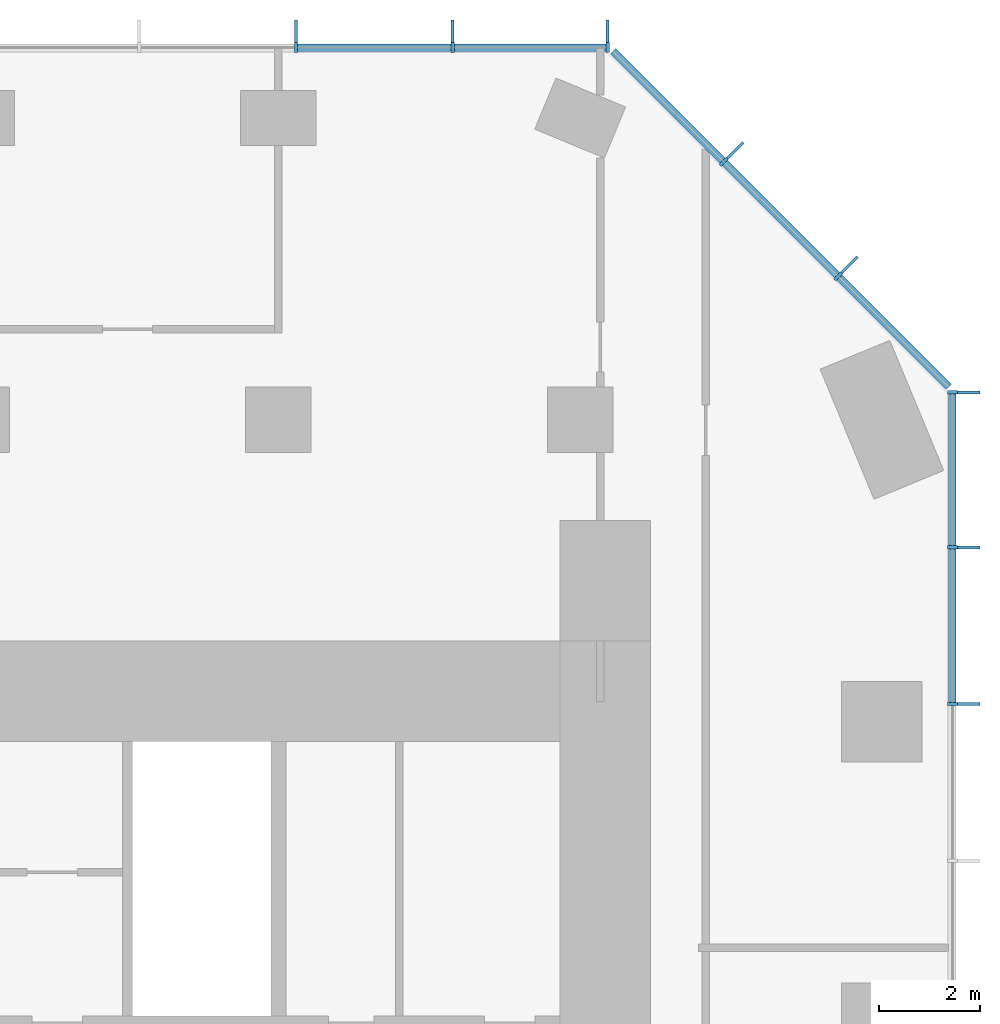
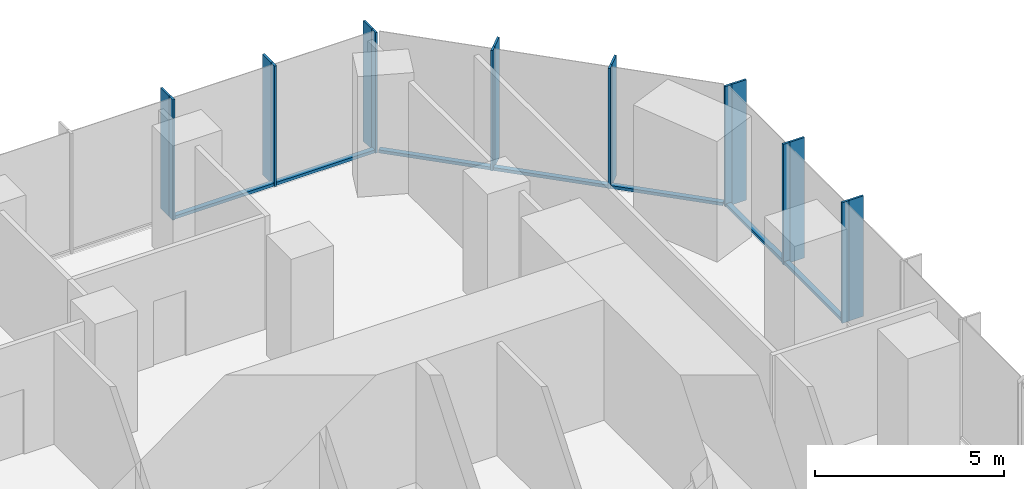
# One storey, part 6 of 12: 23 members, 3 elements without a shape of their own.
"""IFC4 building model written with IfcOpenShell, lengths in metres."""

from ifc_helpers import new_model, si_unit, direction, frame, origin, origin_2d, place, context, subcontext, project, spatial, rectangle, extrude, material, layer, layer_set, material_profile, profile_set, type_object, element, aggregate, save


model = new_model("IFC4")

# Units and contexts
model_context = context("Model", 3, precision=1e-05, world=origin(), true_north=direction((0.0, 1.0)))
body_context = subcontext(model_context, "Body", "Model", "MODEL_VIEW")
ifc_project = project(units=[si_unit("LENGTHUNIT", "METRE"), si_unit("AREAUNIT", "SQUARE_METRE"), si_unit("VOLUMEUNIT", "CUBIC_METRE"), si_unit("PLANEANGLEUNIT", "RADIAN"), si_unit("MASSUNIT", "GRAM", prefix="KILO")], contexts=[model_context])

# Site, building, storey
site_placement = place(None, origin())
site = spatial("IfcSite", under=ifc_project, at=site_placement, CompositionType="ELEMENT")
building_placement = place(site_placement, origin())
building = spatial("IfcBuilding", under=site, at=building_placement, Name="Highveld Stack Headquarters", CompositionType="ELEMENT")
storey_placement = place(building_placement, frame((0.0, 0.0, 231.800048828125)))
storey = spatial("IfcBuildingStorey", under=building, at=storey_placement, Name="L57", CompositionType="ELEMENT", Elevation=231.800048828125)

# Curtain wall, members
ifc_material_1 = material(Name="Aluminium bronze anodised", Category="aluminium")
ifc_layer_1 = layer(ifc_material_1, 0.199951171875)
ifc_layer_set_1 = layer_set([ifc_layer_1], Name="Aluminium bronze anodised")
curtain_wall_type_1 = type_object("IfcCurtainWallType", Name="CW1 TOWER UNITISED CURTAIN WALL", PredefinedType="NOTDEFINED", material=ifc_layer_set_1)
curtain_wall_1_placement = place(storey_placement, origin())
curtain_wall_1 = element("IfcCurtainWall", 1, at=curtain_wall_1_placement, inside=storey, type_object=curtain_wall_type_1, Name="Curtain wall CW1 L57 E", PredefinedType="NOTDEFINED")
ifc_material_2 = material(Name="Aluminium bronze anodised", Category="aluminium")
ifc_material_profile_1 = material_profile(ifc_material_2, rectangle(XDim=0.449951171875, YDim=0.06005859375, at=origin_2d()), Name="FIN 450x60")
ifc_profile_set_1 = profile_set([ifc_material_profile_1], Name="Aluminium bronze anodised")
member_type_1 = type_object("IfcMemberType", Name="CW1 BRONZE FIN 450x60", PredefinedType="USERDEFINED", material=ifc_profile_set_1)
member_1_placement = place(storey_placement, frame((25.72509765625, 12.347900390625, 0.0), z_axis=(0.0, 0.0, 1.0), x_axis=(-1.0, 0.0, 0.0)))
member_1 = element("IfcMember", 2, at=member_1_placement, type_object=member_type_1, Name="CW1 fin L57 9", ObjectType="FIN", PredefinedType="USERDEFINED", context=body_context, shape_type="SweptSolid", body=[
    extrude(rectangle(XDim=0.449951171875, YDim=0.06005859375, at=origin_2d()), origin(), (0.0, 0.0, 1.0), 3.89990234375),
])
member_2_placement = place(storey_placement, frame((25.72509765625, 15.4638671875, 0.0), z_axis=(0.0, 0.0, 1.0), x_axis=(-1.0, 0.0, 0.0)))
member_2 = element("IfcMember", 3, at=member_2_placement, type_object=member_type_1, Name="CW1 fin L57 10", ObjectType="FIN", PredefinedType="USERDEFINED", context=body_context, shape_type="SweptSolid", body=[
    extrude(rectangle(XDim=0.449951171875, YDim=0.06005859375, at=origin_2d()), origin(), (0.0, 0.0, 1.0), 3.89990234375),
])
member_3_placement = place(storey_placement, frame((25.72509765625, 18.54736328125, 0.0), z_axis=(0.0, 0.0, 1.0), x_axis=(-1.0, 0.0, 0.0)))
member_3 = element("IfcMember", 4, at=member_3_placement, type_object=member_type_1, Name="CW1 fin L57 11", ObjectType="FIN", PredefinedType="USERDEFINED", context=body_context, shape_type="SweptSolid", body=[
    extrude(rectangle(XDim=0.449951171875, YDim=0.06005859375, at=origin_2d()), origin(), (0.0, 0.0, 1.0), 3.89990234375),
])

curtain_wall_2_placement = place(storey_placement, origin())
curtain_wall_2 = element("IfcCurtainWall", 5, at=curtain_wall_2_placement, inside=storey, type_object=curtain_wall_type_1, Name="Curtain wall CW1 L57 N", PredefinedType="NOTDEFINED")
member_4_placement = place(storey_placement, frame((18.54736328125, 25.72509765625, 0.0), z_axis=(0.0, 0.0, 1.0), x_axis=(0.0, -1.0, 0.0)))
member_4 = element("IfcMember", 6, at=member_4_placement, type_object=member_type_1, Name="CW1 fin L57 1", ObjectType="FIN", PredefinedType="USERDEFINED", context=body_context, shape_type="SweptSolid", body=[
    extrude(rectangle(XDim=0.449951171875, YDim=0.06005859375, at=origin_2d()), origin(), (0.0, 0.0, 1.0), 3.89990234375),
])
member_5_placement = place(storey_placement, frame((15.4638671875, 25.72509765625, 0.0), z_axis=(0.0, 0.0, 1.0), x_axis=(0.0, -1.0, 0.0)))
member_5 = element("IfcMember", 7, at=member_5_placement, type_object=member_type_1, Name="CW1 fin L57 2", ObjectType="FIN", PredefinedType="USERDEFINED", context=body_context, shape_type="SweptSolid", body=[
    extrude(rectangle(XDim=0.449951171875, YDim=0.06005859375, at=origin_2d()), origin(), (0.0, 0.0, 1.0), 3.89990234375),
])
member_6_placement = place(storey_placement, frame((12.347900390625, 25.72509765625, 0.0), z_axis=(0.0, 0.0, 1.0), x_axis=(0.0, -1.0, 0.0)))
member_6 = element("IfcMember", 8, at=member_6_placement, type_object=member_type_1, Name="CW1 fin L57 3", ObjectType="FIN", PredefinedType="USERDEFINED", context=body_context, shape_type="SweptSolid", body=[
    extrude(rectangle(XDim=0.449951171875, YDim=0.06005859375, at=origin_2d()), origin(), (0.0, 0.0, 1.0), 3.89990234375),
])

# Member
ifc_material_3 = material(Name="Aluminium bronze anodised", Category="aluminium")
ifc_material_profile_2 = material_profile(ifc_material_3, rectangle(XDim=0.199951171875, YDim=0.06494140625, at=origin_2d()), Name="CW1 MULLION 65x200")
ifc_profile_set_2 = profile_set([ifc_material_profile_2], Name="Aluminium bronze anodised")
member_type_2 = type_object("IfcMemberType", Name="CW1 MULLION 65x200", PredefinedType="MULLION", material=ifc_profile_set_2)
member_7_placement = place(storey_placement, frame((25.39990234375, 12.347900390625, 0.0), z_axis=(0.0, 0.0, 1.0), x_axis=(-1.0, 0.0, 0.0)))
member_7 = element("IfcMember", 9, at=member_7_placement, type_object=member_type_2, Name="CW1 mullion L57 9", PredefinedType="MULLION", context=body_context, shape_type="SweptSolid", body=[
    extrude(rectangle(XDim=0.199951171875, YDim=0.06494140625, at=origin_2d()), origin(), (0.0, 0.0, 1.0), 3.89990234375),
])

member_8_placement = place(storey_placement, frame((25.39990234375, 15.4638671875, 0.0), z_axis=(0.0, 0.0, 1.0), x_axis=(-1.0, 0.0, 0.0)))
member_8 = element("IfcMember", 10, at=member_8_placement, type_object=member_type_2, Name="CW1 mullion L57 10", PredefinedType="MULLION", context=body_context, shape_type="SweptSolid", body=[
    extrude(rectangle(XDim=0.199951171875, YDim=0.06494140625, at=origin_2d()), origin(), (0.0, 0.0, 1.0), 3.89990234375),
])

member_9_placement = place(storey_placement, frame((25.39990234375, 18.54736328125, 0.0), z_axis=(0.0, 0.0, 1.0), x_axis=(-1.0, 0.0, 0.0)))
member_9 = element("IfcMember", 11, at=member_9_placement, type_object=member_type_2, Name="CW1 mullion L57 11", PredefinedType="MULLION", context=body_context, shape_type="SweptSolid", body=[
    extrude(rectangle(XDim=0.199951171875, YDim=0.06494140625, at=origin_2d()), origin(), (0.0, 0.0, 1.0), 3.89990234375),
])

member_10_placement = place(storey_placement, frame((18.54736328125, 25.39990234375, 0.0), z_axis=(0.0, 0.0, 1.0), x_axis=(0.0, -1.0, 0.0)))
member_10 = element("IfcMember", 12, at=member_10_placement, type_object=member_type_2, Name="CW1 mullion L57 1", PredefinedType="MULLION", context=body_context, shape_type="SweptSolid", body=[
    extrude(rectangle(XDim=0.199951171875, YDim=0.06494140625, at=origin_2d()), origin(), (0.0, 0.0, 1.0), 3.89990234375),
])

member_11_placement = place(storey_placement, frame((15.4638671875, 25.39990234375, 0.0), z_axis=(0.0, 0.0, 1.0), x_axis=(0.0, -1.0, 0.0)))
member_11 = element("IfcMember", 13, at=member_11_placement, type_object=member_type_2, Name="CW1 mullion L57 2", PredefinedType="MULLION", context=body_context, shape_type="SweptSolid", body=[
    extrude(rectangle(XDim=0.199951171875, YDim=0.06494140625, at=origin_2d()), origin(), (0.0, 0.0, 1.0), 3.89990234375),
])

member_12_placement = place(storey_placement, frame((12.347900390625, 25.39990234375, 0.0), z_axis=(0.0, 0.0, 1.0), x_axis=(0.0, -1.0, 0.0)))
member_12 = element("IfcMember", 14, at=member_12_placement, type_object=member_type_2, Name="CW1 mullion L57 3", PredefinedType="MULLION", context=body_context, shape_type="SweptSolid", body=[
    extrude(rectangle(XDim=0.199951171875, YDim=0.06494140625, at=origin_2d()), origin(), (0.0, 0.0, 1.0), 3.89990234375),
])

ifc_material_4 = material(Name="Aluminium bronze anodised", Category="aluminium")
ifc_material_profile_3 = material_profile(ifc_material_4, rectangle(XDim=0.14990234375, YDim=0.10009765625, at=origin_2d()), Name="CW1 TRANSOM 150x100")
ifc_profile_set_3 = profile_set([ifc_material_profile_3], Name="Aluminium bronze anodised")
member_type_3 = type_object("IfcMemberType", Name="CW1 STACK TRANSOM 150x100", PredefinedType="USERDEFINED", material=ifc_profile_set_3)
member_13_placement = place(storey_placement, frame((25.39990234375, 12.38037109375, 0.050048828125), z_axis=(0.0, 1.0, 0.0), x_axis=(-1.0, 0.0, 0.0)))
member_13 = element("IfcMember", 15, at=member_13_placement, type_object=member_type_3, Name="CW1 transom L57 9.1", ObjectType="TRANSOM", PredefinedType="USERDEFINED", context=body_context, shape_type="SweptSolid", body=[
    extrude(rectangle(XDim=0.14990234375, YDim=0.10009765625, at=origin_2d()), origin(), (0.0, 0.0, 1.0), 3.051025390625),
])

member_14_placement = place(storey_placement, frame((25.39990234375, 15.496337890625, 0.050048828125), z_axis=(0.0, 1.0, 0.0), x_axis=(-1.0, 0.0, 0.0)))
member_14 = element("IfcMember", 16, at=member_14_placement, type_object=member_type_3, Name="CW1 transom L57 10.1", ObjectType="TRANSOM", PredefinedType="USERDEFINED", context=body_context, shape_type="SweptSolid", body=[
    extrude(rectangle(XDim=0.14990234375, YDim=0.10009765625, at=origin_2d()), origin(), (0.0, 0.0, 1.0), 3.0185546875),
])

aggregate(curtain_wall_1, [member_7, member_1, member_8, member_2, member_9, member_3, member_13, member_14])

member_15_placement = place(storey_placement, frame((18.514892578125, 25.39990234375, 0.050048828125), z_axis=(-1.0, 0.0, 0.0), x_axis=(0.0, -1.0, 0.0)))
member_15 = element("IfcMember", 17, at=member_15_placement, type_object=member_type_3, Name="CW1 transom L57 1.1", ObjectType="TRANSOM", PredefinedType="USERDEFINED", context=body_context, shape_type="SweptSolid", body=[
    extrude(rectangle(XDim=0.14990234375, YDim=0.10009765625, at=origin_2d()), origin(), (0.0, 0.0, 1.0), 3.0185546875),
])

member_16_placement = place(storey_placement, frame((15.431396484375, 25.39990234375, 0.050048828125), z_axis=(-1.0, 0.0, 0.0), x_axis=(0.0, -1.0, 0.0)))
member_16 = element("IfcMember", 18, at=member_16_placement, type_object=member_type_3, Name="CW1 transom L57 2.1", ObjectType="TRANSOM", PredefinedType="USERDEFINED", context=body_context, shape_type="SweptSolid", body=[
    extrude(rectangle(XDim=0.14990234375, YDim=0.10009765625, at=origin_2d()), origin(), (0.0, 0.0, 1.0), 3.051025390625),
])

aggregate(curtain_wall_2, [member_10, member_4, member_11, member_5, member_12, member_6, member_15, member_16])

# Curtain wall, members
ifc_material_5 = material(Name="Aluminium bronze anodised", Category="aluminium")
ifc_layer_2 = layer(ifc_material_5, 0.199951171875)
ifc_layer_set_2 = layer_set([ifc_layer_2], Name="Aluminium bronze anodised")
curtain_wall_type_2 = type_object("IfcCurtainWallType", Name="CW2 TOWER CHAMFER UNITISED CURTAIN WALL", PredefinedType="NOTDEFINED", material=ifc_layer_set_2)
curtain_wall_3_placement = place(storey_placement, origin())
curtain_wall_3 = element("IfcCurtainWall", 19, at=curtain_wall_3_placement, inside=storey, type_object=curtain_wall_type_2, Name="Curtain wall CW2 L57 NE", PredefinedType="NOTDEFINED")
ifc_material_6 = material(Name="Aluminium bronze anodised", Category="aluminium")
ifc_material_profile_4 = material_profile(ifc_material_6, rectangle(XDim=0.449951171875, YDim=0.06005859375, at=origin_2d()), Name="FIN 450x60")
ifc_profile_set_4 = profile_set([ifc_material_profile_4], Name="Aluminium bronze anodised")
member_type_4 = type_object("IfcMemberType", Name="CW2 BRONZE FIN 450x60", PredefinedType="USERDEFINED", material=ifc_profile_set_4)
member_17_placement = place(storey_placement, frame((23.3564453125, 21.0830078125, 0.0), z_axis=(0.0, 0.0, 1.0), x_axis=(-0.707106781187, -0.707106781187, 0.0)))
member_17 = element("IfcMember", 20, at=member_17_placement, type_object=member_type_4, Name="CW2 fin L57 1", ObjectType="FIN", PredefinedType="USERDEFINED", context=body_context, shape_type="SweptSolid", body=[
    extrude(rectangle(XDim=0.449951171875, YDim=0.06005859375, at=origin_2d()), origin(), (0.0, 0.0, 1.0), 3.89990234375),
])
member_18_placement = place(storey_placement, frame((21.0830078125, 23.3564453125, 0.0), z_axis=(0.0, 0.0, 1.0), x_axis=(-0.707106781187, -0.707106781187, 0.0)))
member_18 = element("IfcMember", 21, at=member_18_placement, type_object=member_type_4, Name="CW2 fin L57 2", ObjectType="FIN", PredefinedType="USERDEFINED", context=body_context, shape_type="SweptSolid", body=[
    extrude(rectangle(XDim=0.449951171875, YDim=0.06005859375, at=origin_2d()), origin(), (0.0, 0.0, 1.0), 3.89990234375),
])
ifc_material_7 = material(Name="Aluminium bronze anodised", Category="aluminium")
ifc_material_profile_5 = material_profile(ifc_material_7, rectangle(XDim=0.199951171875, YDim=0.06494140625, at=origin_2d()), Name="CW2 MULLION 65x200")
ifc_profile_set_5 = profile_set([ifc_material_profile_5], Name="Aluminium bronze anodised")
member_type_5 = type_object("IfcMemberType", Name="CW2 MULLION 65x200", PredefinedType="MULLION", material=ifc_profile_set_5)
member_19_placement = place(storey_placement, frame((23.126708984375, 20.853271484375, 0.0), z_axis=(0.0, 0.0, 1.0), x_axis=(-0.707106781187, -0.707106781187, 0.0)))
member_19 = element("IfcMember", 22, at=member_19_placement, type_object=member_type_5, Name="CW2 mullion L57 1", PredefinedType="MULLION", context=body_context, shape_type="SweptSolid", body=[
    extrude(rectangle(XDim=0.199951171875, YDim=0.06494140625, at=origin_2d()), origin(), (0.0, 0.0, 1.0), 3.89990234375),
])
member_20_placement = place(storey_placement, frame((20.853271484375, 23.126708984375, 0.0), z_axis=(0.0, 0.0, 1.0), x_axis=(-0.707106781187, -0.707106781187, 0.0)))
member_20 = element("IfcMember", 23, at=member_20_placement, type_object=member_type_5, Name="CW2 mullion L57 2", PredefinedType="MULLION", context=body_context, shape_type="SweptSolid", body=[
    extrude(rectangle(XDim=0.199951171875, YDim=0.06494140625, at=origin_2d()), origin(), (0.0, 0.0, 1.0), 3.89990234375),
])
ifc_material_8 = material(Name="Aluminium bronze anodised", Category="aluminium")
ifc_material_profile_6 = material_profile(ifc_material_8, rectangle(XDim=0.14990234375, YDim=0.10009765625, at=origin_2d()), Name="CW2 TRANSOM 150x100")
ifc_profile_set_6 = profile_set([ifc_material_profile_6], Name="Aluminium bronze anodised")
member_type_6 = type_object("IfcMemberType", Name="CW2 STACK TRANSOM 150x100", PredefinedType="USERDEFINED", material=ifc_profile_set_6)
member_21_placement = place(storey_placement, frame((25.329345703125, 18.650634765625, 0.050048828125), z_axis=(-0.707106781187, 0.707106781187, 0.0), x_axis=(-0.707106781187, -0.707106781187, 0.0)))
member_21 = element("IfcMember", 24, at=member_21_placement, type_object=member_type_6, Name="CW2 transom L57 1.1", ObjectType="TRANSOM", PredefinedType="USERDEFINED", context=body_context, shape_type="SweptSolid", body=[
    extrude(rectangle(XDim=0.14990234375, YDim=0.10009765625, at=origin_2d()), origin(), (0.0, 0.0, 1.0), 3.08251953125),
])
member_22_placement = place(storey_placement, frame((23.103759765625, 20.876220703125, 0.050048828125), z_axis=(-0.707106781187, 0.707106781187, 0.0), x_axis=(-0.707106781187, -0.707106781187, 0.0)))
member_22 = element("IfcMember", 25, at=member_22_placement, type_object=member_type_6, Name="CW2 transom L57 2.1", ObjectType="TRANSOM", PredefinedType="USERDEFINED", context=body_context, shape_type="SweptSolid", body=[
    extrude(rectangle(XDim=0.14990234375, YDim=0.10009765625, at=origin_2d()), origin(), (0.0, 0.0, 1.0), 3.150146484375),
])
member_23_placement = place(storey_placement, frame((20.830322265625, 23.149658203125, 0.050048828125), z_axis=(-0.707106781187, 0.707106781187, 0.0), x_axis=(-0.707106781187, -0.707106781187, 0.0)))
member_23 = element("IfcMember", 26, at=member_23_placement, type_object=member_type_6, Name="CW2 transom L57 3.1", ObjectType="TRANSOM", PredefinedType="USERDEFINED", context=body_context, shape_type="SweptSolid", body=[
    extrude(rectangle(XDim=0.14990234375, YDim=0.10009765625, at=origin_2d()), origin(), (0.0, 0.0, 1.0), 3.08251953125),
])
aggregate(curtain_wall_3, [member_19, member_17, member_20, member_18, member_21, member_22, member_23])

save(model, "model.ifc")
